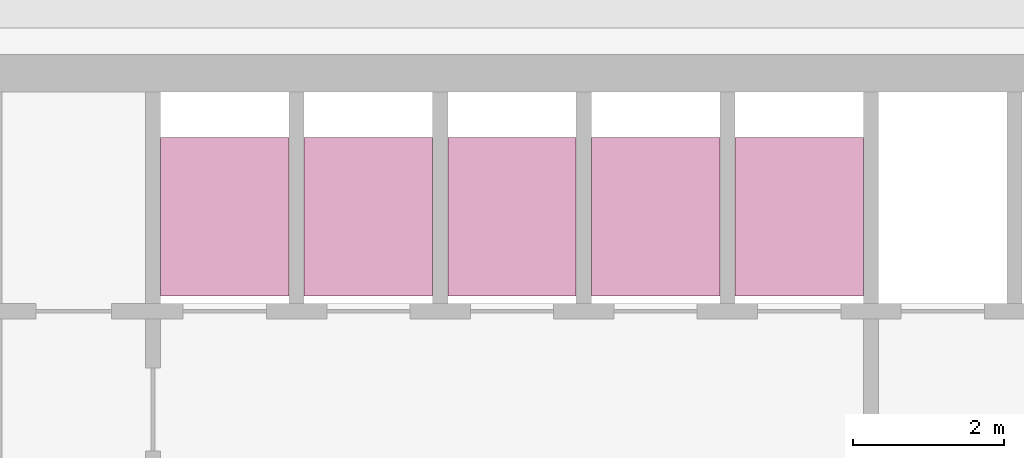
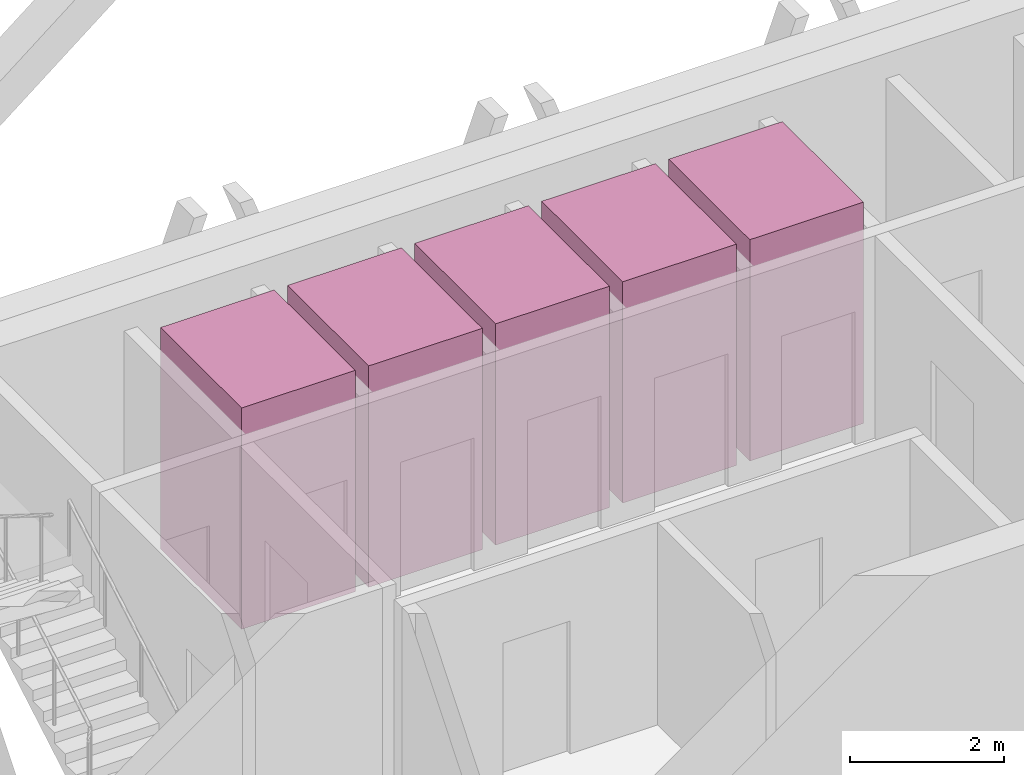
# One storey, part 12 of 12: 5 transport elements.
"""IFC4 building model written with IfcOpenShell, lengths in metres."""

from ifc_helpers import new_model, si_unit, direction, frame, origin, origin_2d, place, context, subcontext, project, spatial, rectangle, extrude, material, type_object, element, save


model = new_model("IFC4")

# Units and contexts
model_context = context("Model", 3, precision=1e-05, world=origin(), true_north=direction((0.0, 1.0)))
body_context = subcontext(model_context, "Body", "Model", "MODEL_VIEW")
ifc_project = project(units=[si_unit("LENGTHUNIT", "METRE"), si_unit("AREAUNIT", "SQUARE_METRE"), si_unit("VOLUMEUNIT", "CUBIC_METRE"), si_unit("PLANEANGLEUNIT", "RADIAN"), si_unit("MASSUNIT", "GRAM", prefix="KILO")], contexts=[model_context])

# Site, building, storey
site_placement = place(None, origin())
site = spatial("IfcSite", under=ifc_project, at=site_placement, CompositionType="ELEMENT")
building_placement = place(site_placement, origin())
building = spatial("IfcBuilding", under=site, at=building_placement, Name="Altiplano Prism Tower", CompositionType="ELEMENT")
storey_placement = place(building_placement, frame((0.0, 0.0, 291.39990234375)))
storey = spatial("IfcBuildingStorey", under=building, at=storey_placement, Name="L75", CompositionType="ELEMENT", Elevation=291.39990234375)

# Transport elements
ifc_material = material(Name="Stainless steel lift car", Category="steel")
transport_element_type = type_object("IfcTransportElementType", Name="Passenger lift car 1600 x 2100", PredefinedType="ELEVATOR", material=ifc_material)
for number, where, z_axis, x_axis, name in (
    (1, (79.050048828125, 101.75, 0.050048828125), (0.0, 0.0, 1.0), (1.0, 0.0, 0.0), "High Zone Passenger Lift 1"),
    (2, (80.949951171875, 101.75, 0.050048828125), (0.0, 0.0, 1.0), (1.0, 0.0, 0.0), "High Zone Passenger Lift 2"),
    (3, (82.85009765625, 101.75, 0.050048828125), (0.0, 0.0, 1.0), (1.0, 0.0, 0.0), "High Zone Passenger Lift 3"),
    (4, (84.75, 101.75, 0.050048828125), (0.0, 0.0, 1.0), (1.0, 0.0, 0.0), "High Zone Passenger Lift 4"),
    (5, (86.64990234375, 101.75, 0.050048828125), (0.0, 0.0, 1.0), (1.0, 0.0, 0.0), "High Zone Passenger Lift 5"),
):
    element("IfcTransportElement", number, at=place(storey_placement, frame(where, z_axis=z_axis, x_axis=x_axis)), inside=storey, type_object=transport_element_type, Name=name, PredefinedType="ELEVATOR", context=body_context, shape_type="SweptSolid", body=[
        extrude(rectangle(XDim=1.699951171875, YDim=2.10009765625, at=origin_2d()), origin(), (0.0, 0.0, 1.0), 3.5),
    ])

save(model, "model.ifc")
